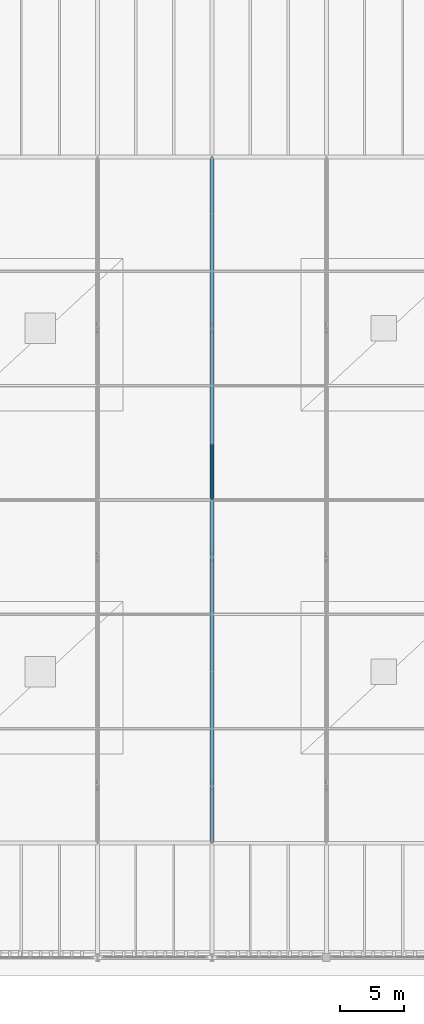
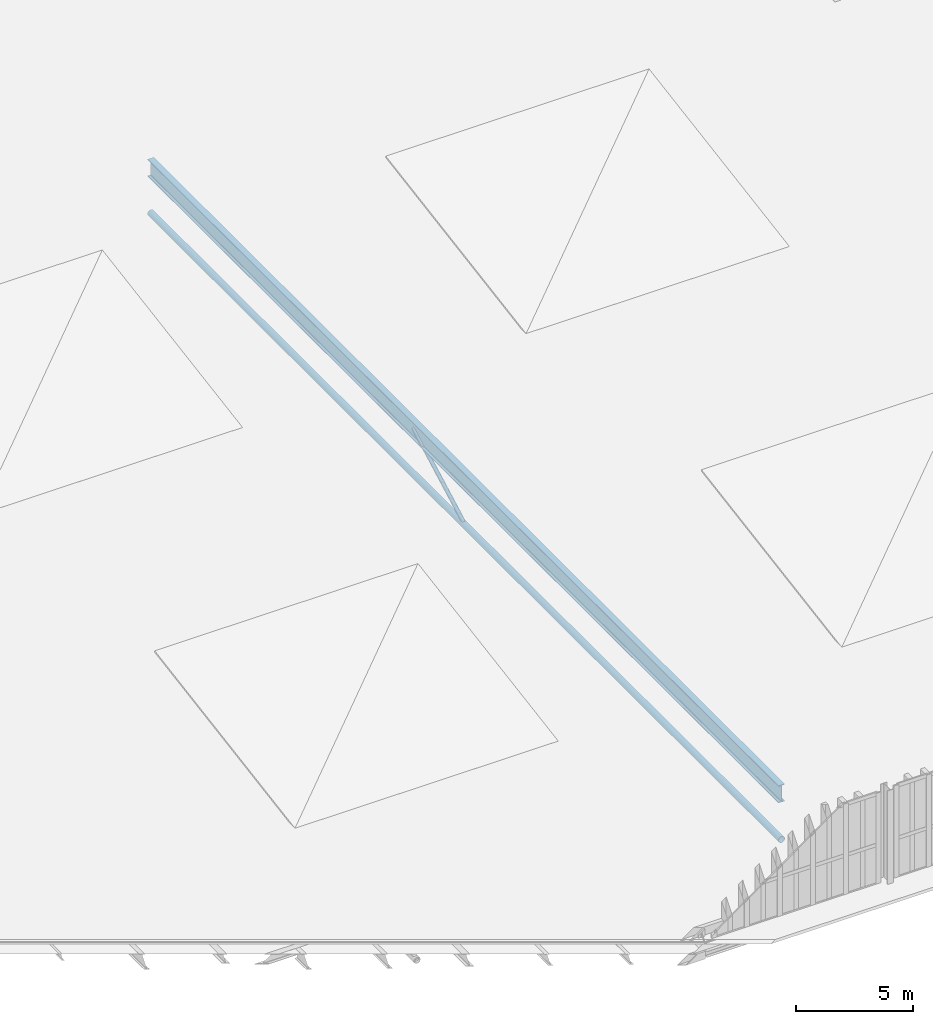
# One storey, part 57 of 196: 2 members, 1 beam.
"""IFC4 building model written with IfcOpenShell, lengths in metres."""

import ifcopenshell
import ifcopenshell.guid

model = None  # the IFC model being written
_history = None  # IfcOwnerHistory: only IFC2X3 demands one
_inside = {}  # id of a spatial element -> (the spatial element, [elements in it])
_under = {}  # id of a project, library or spatial element -> (it, [spatial elements below it])
_declared = {}  # id of a project -> (the project, [libraries it declares])
_typed = {}  # id of a type object -> (the type object, [elements of that type])
_made_of = {}  # id of a material, layer set ... -> (it, [elements and type objects made of it])


def new_model(schema):
    """Start an empty IFC model of exactly this schema.

    Asked for "IFC4X3", IfcOpenShell would pick the latest addendum, in which some entities
    have other attributes; the version numbers below select the first issue.
    IFC2X3 requires an IfcOwnerHistory on every rooted entity: one is made here for all.
    """
    global model, _history
    if schema == "IFC4X3":
        model = ifcopenshell.file(schema_version=(4, 3, 0, 0))
    else:
        model = ifcopenshell.file(schema=schema)
    _inside.clear()
    _under.clear()
    _declared.clear()
    _typed.clear()
    _made_of.clear()
    _history = None
    if model.schema == "IFC2X3":
        org = make("IfcOrganization", Name="unknown")
        user = make(
            "IfcPersonAndOrganization",
            ThePerson=make("IfcPerson", FamilyName="unknown"),
            TheOrganization=org,
        )
        app = make(
            "IfcApplication",
            ApplicationDeveloper=org,
            Version="unknown",
            ApplicationFullName="unknown",
            ApplicationIdentifier="unknown",
        )
        _history = make(
            "IfcOwnerHistory",
            OwningUser=user,
            OwningApplication=app,
            ChangeAction="ADDED",
            CreationDate=0,
        )
    return model


def make(cls, **values):
    """One entity of the class cls with the attributes given. An attribute that is None is left unset."""
    return model.create_entity(
        cls, **{name: value for name, value in values.items() if value is not None}
    )


def rooted(cls, **values):
    """An entity with a GlobalId (a new one), such as an element, a storey or a relation."""
    return make(cls, GlobalId=ifcopenshell.guid.new(), OwnerHistory=_history, **values)


def si_unit(unit_type, name, prefix=None):
    """IfcSIUnit, for example si_unit("LENGTHUNIT", "METRE", prefix="MILLI")."""
    return make("IfcSIUnit", UnitType=unit_type, Prefix=prefix, Name=name)


def assignment(units):
    """IfcUnitAssignment: the units of a project."""
    return None if units is None else make("IfcUnitAssignment", Units=units)


def point(xyz):
    """IfcCartesianPoint."""
    return None if xyz is None else make("IfcCartesianPoint", Coordinates=xyz)


def direction(xyz):
    """IfcDirection."""
    return None if xyz is None else make("IfcDirection", DirectionRatios=xyz)


def frame(location, z_axis=None, x_axis=None):
    """IfcAxis2Placement3D, a coordinate frame: its origin and axes. An axis left out is left unset."""
    return make(
        "IfcAxis2Placement3D",
        Location=point(location),
        Axis=direction(z_axis),
        RefDirection=direction(x_axis),
    )


def frame_2d(location, x_axis=None):
    """IfcAxis2Placement2D, a coordinate frame in the plane: its origin and x axis."""
    return make(
        "IfcAxis2Placement2D", Location=point(location), RefDirection=direction(x_axis)
    )


def origin():
    """The frame at (0, 0, 0) with its axes left unset."""
    return frame((0.0, 0.0, 0.0))


def origin_2d():
    """The frame at (0, 0) in the plane with its x axis left unset."""
    return frame_2d((0.0, 0.0))


def place(relative_to, where):
    """IfcLocalPlacement: puts the frame where relative to a parent placement (None: the world)."""
    return make(
        "IfcLocalPlacement", PlacementRelTo=relative_to, RelativePlacement=where
    )


def context(
    kind, dimensions, precision=None, world=None, true_north=None, identifier=None
):
    """IfcGeometricRepresentationContext, for example the 3D "Model" context."""
    return make(
        "IfcGeometricRepresentationContext",
        ContextIdentifier=identifier,
        ContextType=kind,
        CoordinateSpaceDimension=dimensions,
        Precision=precision,
        WorldCoordinateSystem=world,
        TrueNorth=true_north,
    )


def subcontext(parent, identifier, kind, view, scale=None):
    """IfcGeometricRepresentationSubContext, for example "Body" below "Model"."""
    return make(
        "IfcGeometricRepresentationSubContext",
        ContextIdentifier=identifier,
        ContextType=kind,
        ParentContext=parent,
        TargetScale=scale,
        TargetView=view,
    )


def project(units=None, contexts=None):
    """IfcProject with its units and contexts."""
    return rooted(
        "IfcProject",
        Name="project",
        RepresentationContexts=contexts,
        UnitsInContext=assignment(units),
    )


def spatial(cls, under=None, at=None, **own):
    """A site, building, storey or space (cls), placed at a placement, below another one or the project."""
    s = rooted(cls, ObjectPlacement=at, **own)
    if under is not None:
        _under.setdefault(under.id(), (under, []))[1].append(s)
    return s


def profile(cls, at=None, kind="AREA", **sizes):
    """A parametric profile (cls). Its sizes go by their IFC names, for example OverallWidth=200.0."""
    return make(cls, ProfileType=kind, Position=at, **sizes)


def hollow_circle(**sizes):
    """IfcCircleHollowProfileDef."""
    return profile("IfcCircleHollowProfileDef", **sizes)


def i_section(**sizes):
    """IfcIShapeProfileDef."""
    return profile("IfcIShapeProfileDef", **sizes)


def extrude(swept, where, along, depth):
    """IfcExtrudedAreaSolid: the profile swept, set in the frame where, extruded along a direction by depth."""
    return make(
        "IfcExtrudedAreaSolid",
        SweptArea=swept,
        Position=where,
        ExtrudedDirection=direction(along),
        Depth=depth,
    )


def shape(context_of_items, identifier, shape_type, items):
    """IfcShapeRepresentation: the items that make up one representation, for example the "Body"."""
    return make(
        "IfcShapeRepresentation",
        ContextOfItems=context_of_items,
        RepresentationIdentifier=identifier,
        RepresentationType=shape_type,
        Items=items,
    )


def material(Name=None, Category=None):
    """IfcMaterial."""
    return make("IfcMaterial", Name=Name, Category=Category)


def material_profile(
    of_material, cross_section, Name=None, Category=None, Priority=None
):
    """IfcMaterialProfile: a cross section and its material."""
    return make(
        "IfcMaterialProfile",
        Name=Name,
        Material=of_material,
        Profile=cross_section,
        Priority=Priority,
        Category=Category,
    )


def profile_set(profiles, Name=None, composite=None):
    """IfcMaterialProfileSet."""
    return make(
        "IfcMaterialProfileSet",
        Name=Name,
        MaterialProfiles=profiles,
        CompositeProfile=composite,
    )


def made_of(thing, what):
    """Note that an element or type object is made of a material, layer set ...; save() writes the relation."""
    if what is not None:
        _made_of.setdefault(what.id(), (what, []))[1].append(thing)
    return thing


def type_object(cls, material=None, **own):
    """A type object (cls), such as IfcWallType, which elements share."""
    return made_of(rooted(cls, **own), material)


def element(
    cls,
    number,
    at=None,
    inside=None,
    cuts=None,
    type_object=None,
    material=None,
    context=None,
    identifier="Body",
    shape_type=None,
    held_by="IfcProductDefinitionShape",
    body=None,
    shapes=None,
    **own,
):
    """One element of the class cls, such as IfcWall. Its Tag is "e" and its number.

    at: its placement. inside: the storey or other place that contains it. cuts: it is an
    opening in that element (IfcRelVoidsElement). A single representation is given by context,
    identifier, shape_type and body (its items); several are given by shapes. held_by: the class
    of the entity that holds the representations. save() writes the other relations.
    """
    e = rooted(cls, Tag="e%d" % number, ObjectPlacement=at, **own)
    if body is not None:
        shapes = [shape(context, identifier, shape_type, body)]
    if shapes is not None:
        e.Representation = make(held_by, Representations=shapes)
    if inside is not None:
        _inside.setdefault(inside.id(), (inside, []))[1].append(e)
    if cuts is not None:
        rooted(
            "IfcRelVoidsElement", RelatingBuildingElement=cuts, RelatedOpeningElement=e
        )
    if type_object is not None:
        _typed.setdefault(type_object.id(), (type_object, []))[1].append(e)
    return made_of(e, material)


def aggregate(whole, parts):
    """IfcRelAggregates: a whole, such as a stair, and the parts it consists of."""
    return rooted("IfcRelAggregates", RelatingObject=whole, RelatedObjects=parts)


def save(model, path):
    """Write the relations noted so far, then the file.

    IfcRelAggregates (storeys below a building ...), IfcRelContainedInSpatialStructure (elements
    in a storey), IfcRelDefinesByType, IfcRelAssociatesMaterial and IfcRelDeclares: one each for
    every whole, place, type object, material and project.
    """
    for whole, parts in _under.values():
        aggregate(whole, parts)
    for where, things in _inside.values():
        rooted(
            "IfcRelContainedInSpatialStructure",
            RelatedElements=things,
            RelatingStructure=where,
        )
    for kind, things in _typed.values():
        rooted("IfcRelDefinesByType", RelatedObjects=things, RelatingType=kind)
    for what, things in _made_of.values():
        rooted("IfcRelAssociatesMaterial", RelatedObjects=things, RelatingMaterial=what)
    for by, libraries in _declared.values():
        rooted("IfcRelDeclares", RelatingContext=by, RelatedDefinitions=libraries)
    model.write(path)


model = new_model("IFC4")

# Units and contexts
model_context = context("Model", 3, precision=1e-05, world=origin(), true_north=direction((0.0, 1.0)))
body_context = subcontext(model_context, "Body", "Model", "MODEL_VIEW")
ifc_project = project(units=[si_unit("LENGTHUNIT", "METRE"), si_unit("AREAUNIT", "SQUARE_METRE"), si_unit("VOLUMEUNIT", "CUBIC_METRE"), si_unit("PLANEANGLEUNIT", "RADIAN"), si_unit("MASSUNIT", "GRAM", prefix="KILO")], contexts=[model_context])

# Site, building, storey
site_placement = place(None, origin())
site = spatial("IfcSite", under=ifc_project, at=site_placement, CompositionType="ELEMENT")
building_placement = place(site_placement, origin())
building = spatial("IfcBuilding", under=site, at=building_placement, Name="Barlavento Convention Centre", CompositionType="ELEMENT")
storey_placement = place(building_placement, frame((0.0, 0.0, 18.0)))
storey = spatial("IfcBuildingStorey", under=building, at=storey_placement, Name="L03", CompositionType="ELEMENT", Elevation=18.0)

# Beam
ifc_material_1 = material(Name="Steel S460", Category="steel")
ifc_material_profile_1 = material_profile(ifc_material_1, i_section(OverallWidth=0.300048828125, OverallDepth=0.89990234375, WebThickness=0.0185546875, FlangeThickness=0.034912109375, FilletRadius=0.030029296875, at=origin_2d()), Name="HEB 900")
ifc_profile_set_1 = profile_set([ifc_material_profile_1], Name="Steel S460")
beam_type = type_object("IfcBeamType", Name="STR-BM-EXH-HEB900", PredefinedType="BEAM", material=ifc_profile_set_1)
beam_placement = place(storey_placement, frame((36.0, 63.02001953125, -0.794921875), z_axis=(0.0, 1.0, 0.0), x_axis=(-1.0, 0.0, 0.0)))
element("IfcBeam", 1, at=beam_placement, inside=storey, type_object=beam_type, Name="Exhibition roof space frame top girder", PredefinedType="BEAM", context=body_context, shape_type="SweptSolid", body=[
    extrude(i_section(OverallWidth=0.300048828125, OverallDepth=0.89990234375, WebThickness=0.0185546875, FlangeThickness=0.034912109375, FilletRadius=0.030029296875, at=origin_2d()), origin(), (0.0, 0.0, 1.0), 53.9599609375),
])

# Members
ifc_material_2 = material(Name="Steel S355", Category="steel")
ifc_material_profile_2 = material_profile(ifc_material_2, hollow_circle(Radius=0.161865234375, WallThickness=0.01611328125, at=origin_2d()), Name="CHS 323.9x16.0")
ifc_profile_set_2 = profile_set([ifc_material_profile_2], Name="Steel S355")
member_type_1 = type_object("IfcMemberType", Name="STR-MEM-CHD-CHS323", PredefinedType="CHORD", material=ifc_profile_set_2)
member_1_placement = place(storey_placement, frame((36.0, 63.02001953125, -3.199951171875), z_axis=(0.0, 1.0, 0.0), x_axis=(-1.0, 0.0, 0.0)))
element("IfcMember", 2, at=member_1_placement, inside=storey, type_object=member_type_1, Name="Exhibition space frame bottom chord TC02", PredefinedType="CHORD", context=body_context, shape_type="SweptSolid", body=[
    extrude(hollow_circle(Radius=0.161865234375, WallThickness=0.01611328125, at=origin_2d()), origin(), (0.0, 0.0, 1.0), 53.9599609375),
])
ifc_material_profile_3 = material_profile(ifc_material_2, hollow_circle(Radius=0.096923828125, WallThickness=0.010009765625, at=origin_2d()), Name="CHS 193.7x10.0")
ifc_profile_set_3 = profile_set([ifc_material_profile_3], Name="Steel S355")
member_type_2 = type_object("IfcMemberType", Name="STR-MEM-DIAG-CHS193", PredefinedType="RAFTER", material=ifc_profile_set_3)
member_2_placement = place(storey_placement, frame((36.0, 90.050048828125, -3.199951171875), z_axis=(0.0, 0.879735433057, 0.475463529437), x_axis=(-1.0, 0.0, 0.0)))
element("IfcMember", 3, at=member_2_placement, inside=storey, type_object=member_type_2, Name="Exhibition space frame web diagonal", PredefinedType="RAFTER", context=body_context, shape_type="SweptSolid", body=[
    extrude(hollow_circle(Radius=0.096923828125, WallThickness=0.010009765625, at=origin_2d()), origin(), (0.0, 0.0, 1.0), 5.058349609375),
])

save(model, "model.ifc")
